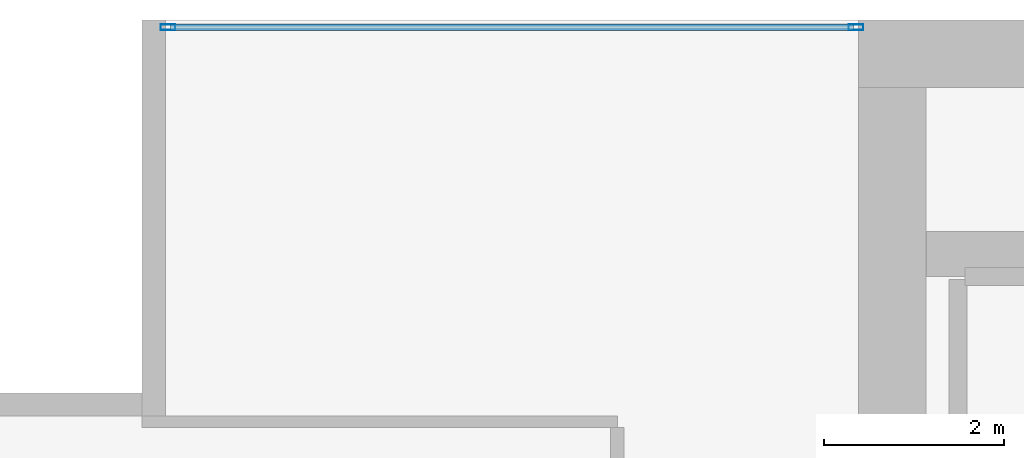
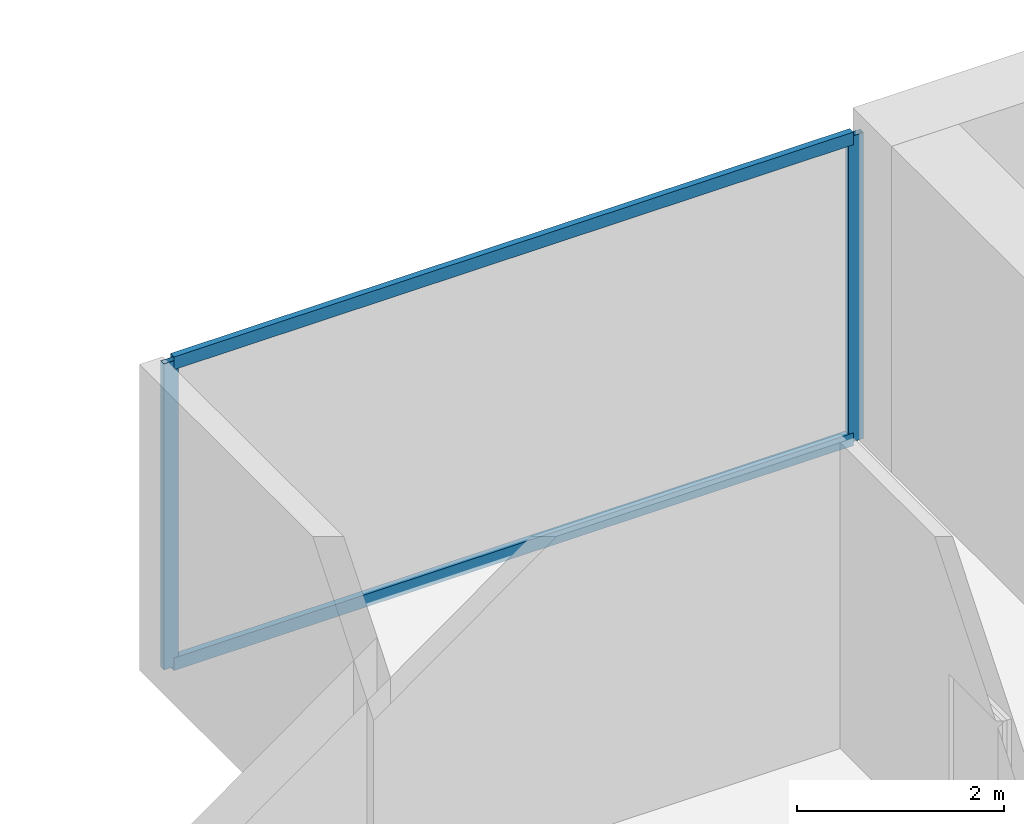
# One storey, part 22 of 34: 4 members, 1 element without a shape of its own.
"""IFC4 building model written with IfcOpenShell, lengths in metres."""

from ifc_helpers import new_model, si_unit, direction, frame, origin, origin_2d, place, context, subcontext, project, spatial, hollow_rectangle, extrude, material, layer, layer_set, material_profile, profile_set, type_object, element, aggregate, save


model = new_model("IFC4")

# Units and contexts
model_context = context("Model", 3, precision=1e-05, world=origin(), true_north=direction((0.0, 1.0)))
body_context = subcontext(model_context, "Body", "Model", "MODEL_VIEW")
ifc_project = project(units=[si_unit("LENGTHUNIT", "METRE"), si_unit("AREAUNIT", "SQUARE_METRE"), si_unit("VOLUMEUNIT", "CUBIC_METRE"), si_unit("PLANEANGLEUNIT", "RADIAN"), si_unit("MASSUNIT", "GRAM", prefix="KILO")], contexts=[model_context])

# Site, building, storey
site_placement = place(None, origin())
site = spatial("IfcSite", under=ifc_project, at=site_placement, CompositionType="ELEMENT")
building_placement = place(site_placement, origin())
building = spatial("IfcBuilding", under=site, at=building_placement, Name="Maruvema Waterfront Hotel and Observation Tower", CompositionType="ELEMENT")
storey_placement = place(building_placement, frame((0.0, 0.0, 185.14990234375)))
storey = spatial("IfcBuildingStorey", under=building, at=storey_placement, Name="L45", CompositionType="ELEMENT", Elevation=185.14990234375)

# Curtain wall, members
ifc_material_1 = material(Name="Anodised bronze aluminium and solar-control low-E IGU", Category="aluminium")
ifc_layer = layer(ifc_material_1, 0.159912109375, Name="Zone 2 Amber Inner Thermal Curtain Wall System CW-03")
ifc_layer_set = layer_set([ifc_layer], Name="Anodised bronze aluminium and solar-control low-E IGU")
curtain_wall_type = type_object("IfcCurtainWallType", Name="Zone 2 Amber Inner Thermal Curtain Wall System CW-03", PredefinedType="USERDEFINED", material=ifc_layer_set)
curtain_wall_placement = place(storey_placement, origin())
curtain_wall = element("IfcCurtainWall", 1, at=curtain_wall_placement, inside=storey, type_object=curtain_wall_type, Name="L45 Curtain Wall CW-L45-NW", ObjectType="UNITISED CURTAIN WALL", PredefinedType="USERDEFINED")
ifc_material_2 = material(Name="Anodised architectural bronze aluminium", Category="aluminium")
ifc_material_profile_1 = material_profile(ifc_material_2, hollow_rectangle(XDim=0.070068359375, YDim=0.14990234375, WallThickness=0.00390625, at=origin_2d()), Name="ALU-T70x150")
ifc_profile_set_1 = profile_set([ifc_material_profile_1], Name="Anodised architectural bronze aluminium")
member_type_1 = type_object("IfcMemberType", Name="Curtain Wall Horizontal Transom ALU-T70x150", PredefinedType="USERDEFINED", material=ifc_profile_set_1)
member_1_placement = place(storey_placement, frame((25.139892578125, 53.919921875, 0.030029296875), z_axis=(-1.0, 0.0, 0.0), x_axis=(0.0, -1.0, 0.0)))
member_1 = element("IfcMember", 2, at=member_1_placement, type_object=member_type_1, Name="CW-03 transom 1.1", ObjectType="TRANSOM", PredefinedType="USERDEFINED", context=body_context, shape_type="SweptSolid", body=[
    extrude(hollow_rectangle(XDim=0.070068359375, YDim=0.14990234375, WallThickness=0.00390625, at=origin_2d()), origin(), (0.0, 0.0, 1.0), 7.579833984375),
])
member_2_placement = place(storey_placement, frame((25.139892578125, 53.919921875, 3.580078125), z_axis=(-1.0, 0.0, 0.0), x_axis=(0.0, -1.0, 0.0)))
member_2 = element("IfcMember", 3, at=member_2_placement, type_object=member_type_1, Name="CW-03 transom 1.2", ObjectType="TRANSOM", PredefinedType="USERDEFINED", context=body_context, shape_type="SweptSolid", body=[
    extrude(hollow_rectangle(XDim=0.070068359375, YDim=0.14990234375, WallThickness=0.00390625, at=origin_2d()), origin(), (0.0, 0.0, 1.0), 7.579833984375),
])
ifc_material_3 = material(Name="Anodised architectural bronze aluminium", Category="aluminium")
ifc_material_profile_2 = material_profile(ifc_material_3, hollow_rectangle(XDim=0.06494140625, YDim=0.1650390625, WallThickness=0.00390625, at=origin_2d()), Name="ALU-M65x165")
ifc_profile_set_2 = profile_set([ifc_material_profile_2], Name="Anodised architectural bronze aluminium")
member_type_2 = type_object("IfcMemberType", Name="Curtain Wall Primary Mullion ALU-M65x165", PredefinedType="MULLION", material=ifc_profile_set_2)
member_3_placement = place(storey_placement, frame((25.169921875, 53.919921875, 0.0), z_axis=(0.0, 0.0, 1.0), x_axis=(0.0, -1.0, 0.0)))
member_3 = element("IfcMember", 4, at=member_3_placement, type_object=member_type_2, Name="CW-03 mullion 1", PredefinedType="MULLION", context=body_context, shape_type="SweptSolid", body=[
    extrude(hollow_rectangle(XDim=0.06494140625, YDim=0.1650390625, WallThickness=0.00390625, at=origin_2d()), origin(), (0.0, 0.0, 1.0), 3.610107421875),
])
member_4_placement = place(storey_placement, frame((17.530029296875, 53.919921875, 0.0), z_axis=(0.0, 0.0, 1.0), x_axis=(0.0, -1.0, 0.0)))
member_4 = element("IfcMember", 5, at=member_4_placement, type_object=member_type_2, Name="CW-03 mullion 2", PredefinedType="MULLION", context=body_context, shape_type="SweptSolid", body=[
    extrude(hollow_rectangle(XDim=0.06494140625, YDim=0.1650390625, WallThickness=0.00390625, at=origin_2d()), origin(), (0.0, 0.0, 1.0), 3.610107421875),
])
aggregate(curtain_wall, [member_3, member_4, member_1, member_2])

save(model, "model.ifc")
